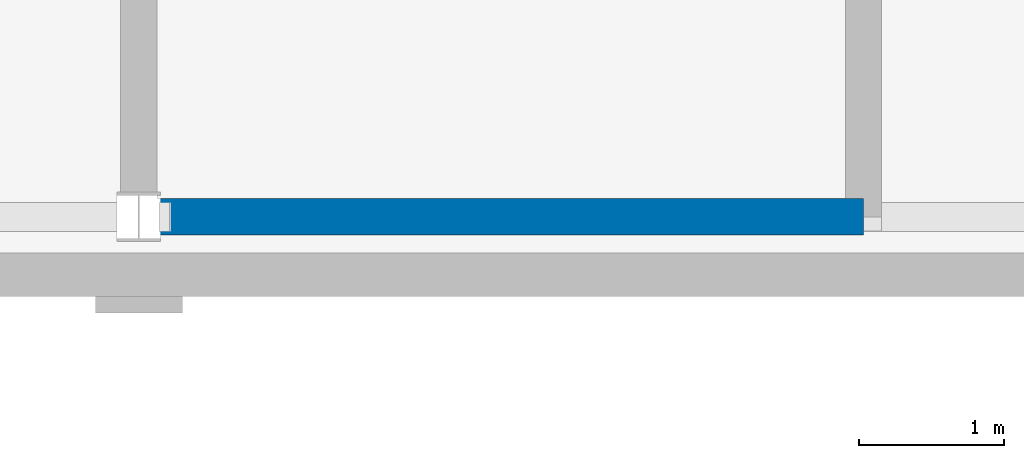
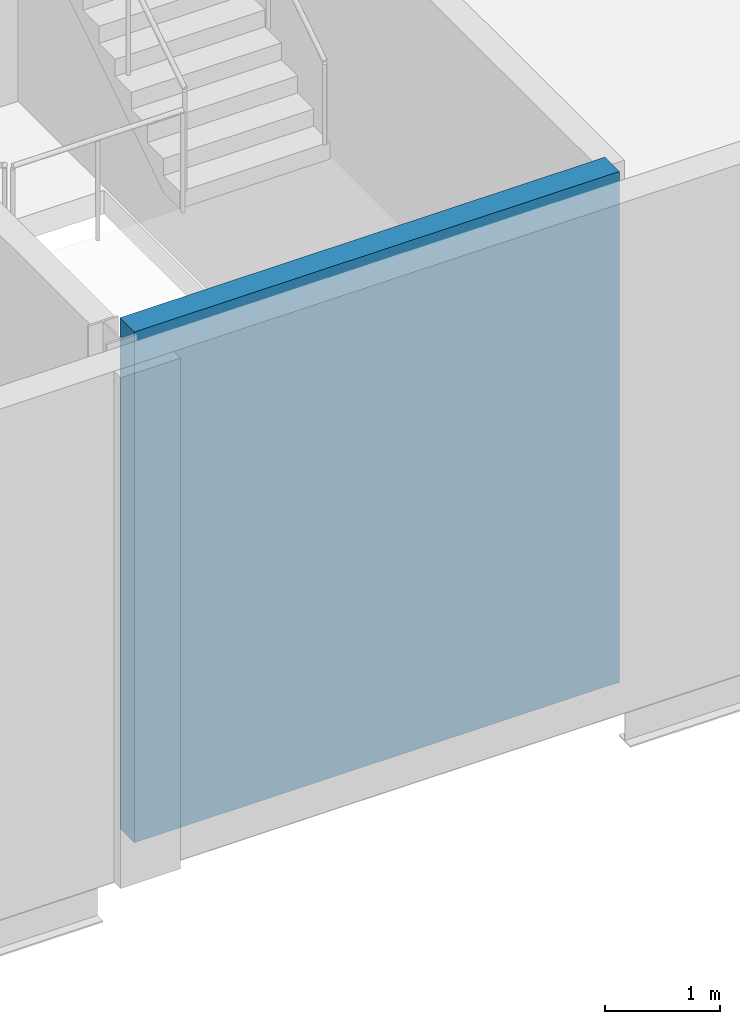
# One storey, part 103 of 170: 1 wall.
"""IFC4 building model written with IfcOpenShell, lengths in metres."""

from ifc_helpers import new_model, si_unit, direction, frame, frame_2d, origin, place, context, subcontext, project, spatial, rectangle, extrude, material, layer, layer_set, type_object, element, save


model = new_model("IFC4")

# Units and contexts
model_context = context("Model", 3, precision=1e-05, world=origin(), true_north=direction((0.0, 1.0)))
body_context = subcontext(model_context, "Body", "Model", "MODEL_VIEW")
ifc_project = project(units=[si_unit("LENGTHUNIT", "METRE"), si_unit("AREAUNIT", "SQUARE_METRE"), si_unit("VOLUMEUNIT", "CUBIC_METRE"), si_unit("PLANEANGLEUNIT", "RADIAN"), si_unit("MASSUNIT", "GRAM", prefix="KILO")], contexts=[model_context])

# Site, building, storey
site_placement = place(None, origin())
site = spatial("IfcSite", under=ifc_project, at=site_placement, CompositionType="ELEMENT")
building_placement = place(site_placement, origin())
building = spatial("IfcBuilding", under=site, at=building_placement, Name="Ravi Spectrum Wholesale Market", CompositionType="ELEMENT")
storey_placement = place(building_placement, frame((0.0, 0.0, 5.39990234375)))
storey = spatial("IfcBuildingStorey", under=building, at=storey_placement, Name="L01", CompositionType="ELEMENT", Elevation=5.39990234375)

# Wall
ifc_material = material(Name="Concrete C35/45", Category="concrete")
ifc_layer = layer(ifc_material, 0.25)
ifc_layer_set = layer_set([ifc_layer], Name="Concrete C35/45")
wall_type = type_object("IfcWallType", Name="Concrete core wall 250", PredefinedType="SHEAR", material=ifc_layer_set)
wall_placement = place(storey_placement, frame((234.14990234375, 18.0, 0.0), z_axis=(0.0, 0.0, 1.0), x_axis=(1.0, 0.0, 0.0)))
element("IfcWall", 1, at=wall_placement, inside=storey, type_object=wall_type, Name="Stair core wall Stair S-CS-4", PredefinedType="SHEAR", context=body_context, shape_type="SweptSolid", body=[
    extrude(rectangle(XDim=4.85009765625, YDim=0.25, at=frame_2d((2.425048828125, 0.0))), origin(), (0.0, 0.0, 1.0), 5.400146484375),
])

save(model, "model.ifc")
